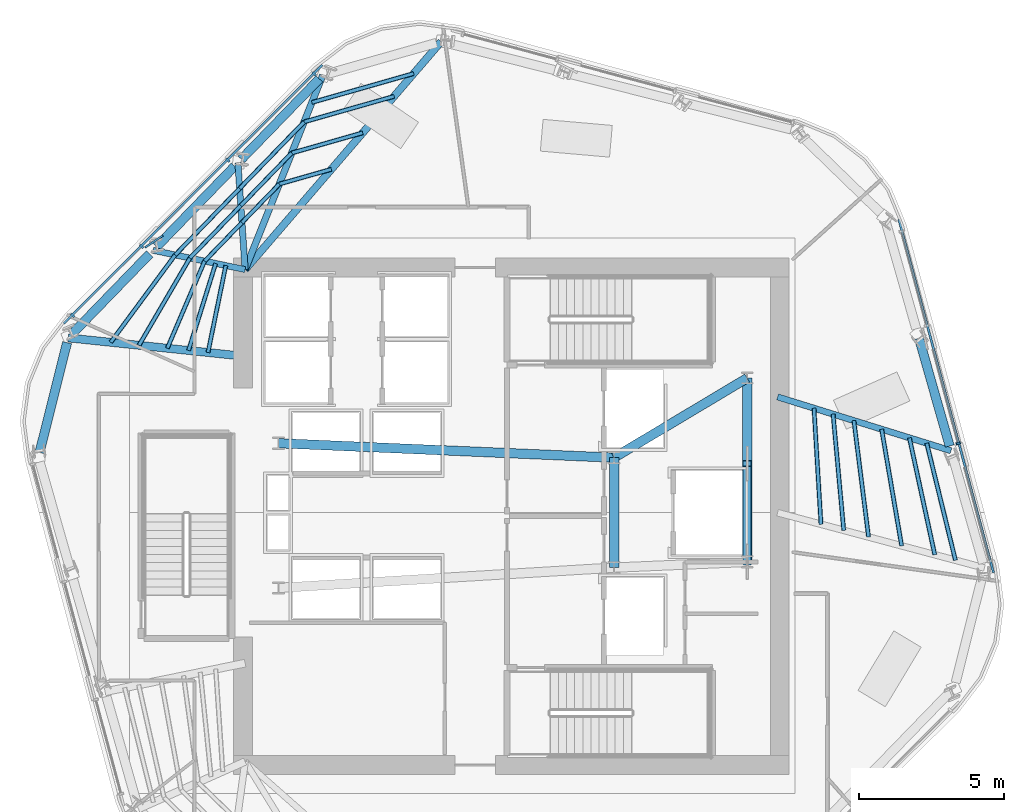
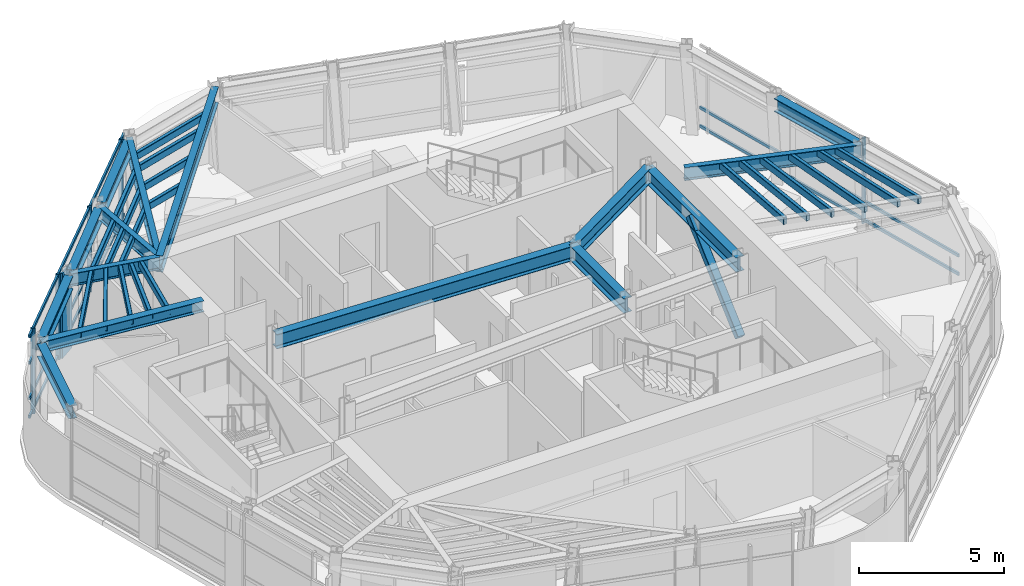
# One storey, part 4 of 13: 34 members, 15 beams, 2 elements without a shape of their own.
"""IFC4 building model written with IfcOpenShell, lengths in metres."""

from ifc_helpers import new_model, si_unit, direction, frame, origin, origin_2d, place, context, subcontext, project, spatial, rectangle, hollow_rectangle, i_section, extrude, material, layer, layer_set, material_profile, profile_set, type_object, element, aggregate, save


model = new_model("IFC4")

# Units and contexts
model_context = context("Model", 3, precision=1e-05, world=origin(), true_north=direction((0.0, 1.0)))
body_context = subcontext(model_context, "Body", "Model", "MODEL_VIEW")
ifc_project = project(units=[si_unit("LENGTHUNIT", "METRE"), si_unit("AREAUNIT", "SQUARE_METRE"), si_unit("VOLUMEUNIT", "CUBIC_METRE"), si_unit("PLANEANGLEUNIT", "RADIAN"), si_unit("MASSUNIT", "GRAM", prefix="KILO")], contexts=[model_context])

# Site, building, storey
site_placement = place(None, origin())
site = spatial("IfcSite", under=ifc_project, at=site_placement, CompositionType="ELEMENT")
building_placement = place(site_placement, origin())
building = spatial("IfcBuilding", under=site, at=building_placement, Name="Valkerne Bourse Tower", CompositionType="ELEMENT")
storey_placement = place(building_placement, frame((0.0, 0.0, 217.0)))
storey = spatial("IfcBuildingStorey", under=building, at=storey_placement, Name="L55", CompositionType="ELEMENT", Elevation=217.0)

# Beams
ifc_material_1 = material(Name="Steel ASTM A992", Category="steel")
ifc_material_profile_1 = material_profile(ifc_material_1, i_section(OverallWidth=0.279296875, OverallDepth=0.46240234375, WebThickness=0.0107421875, FlangeThickness=0.017333984375, FilletRadius=0.017822265625, at=origin_2d()), Name="W18X76")
ifc_profile_set_1 = profile_set([ifc_material_profile_1], Name="Steel ASTM A992")
beam_type_1 = type_object("IfcBeamType", Name="BM-W18X76", PredefinedType="BEAM", material=ifc_profile_set_1)
beam_1_placement = place(storey_placement, frame((31.488525390625, 33.039794921875, 3.368896484375), z_axis=(0.994563425291, -0.104132574509, 0.0), x_axis=(0.104132574509, 0.994563425291, 0.0)))
element("IfcBeam", 1, at=beam_1_placement, inside=storey, type_object=beam_type_1, Name="L55 Radial Composite Floor Beam 07", PredefinedType="BEAM", context=body_context, shape_type="SweptSolid", body=[
    extrude(i_section(OverallWidth=0.279296875, OverallDepth=0.46240234375, WebThickness=0.0107421875, FlangeThickness=0.017333984375, FilletRadius=0.017822265625, at=origin_2d()), origin(), (0.0, 0.0, 1.0), 6.14501953125),
])
ifc_material_profile_2 = material_profile(ifc_material_1, i_section(OverallWidth=0.31494140625, OverallDepth=0.5537109375, WebThickness=0.0166015625, FlangeThickness=0.026123046875, FilletRadius=0.020263671875, at=origin_2d()), Name="W21X132")
ifc_profile_set_2 = profile_set([ifc_material_profile_2], Name="Steel ASTM A992")
beam_type_2 = type_object("IfcBeamType", Name="BM-W21X132", PredefinedType="BEAM", material=ifc_profile_set_2)
for number, where, z_axis, x_axis, name in (
    (2, (40.163818359375, 41.991943359375, 3.322998046875), (-0.695922265033, -0.718117122085, 0.0), (0.718117122085, -0.695922265033, 0.0), "L55 Hexagonal Spandrel Ring Beam 04"),
    (3, (37.232666015625, 38.96728515625, 3.322998046875), (-0.695922265033, -0.718117122085, 0.0), (0.718117122085, -0.695922265033, 0.0), "L55 Hexagonal Spandrel Ring Beam 05"),
):
    element("IfcBeam", number, at=place(storey_placement, frame(where, z_axis=z_axis, x_axis=x_axis)), inside=storey, type_object=beam_type_2, Name=name, PredefinedType="BEAM", context=body_context, shape_type="SweptSolid", body=[
        extrude(i_section(OverallWidth=0.31494140625, OverallDepth=0.5537109375, WebThickness=0.0166015625, FlangeThickness=0.026123046875, FilletRadius=0.020263671875, at=origin_2d()), origin(), (0.0, 0.0, 1.0), 3.8720703125),
    ])
beam_2_placement = place(storey_placement, frame((34.301513671875, 35.9423828125, 3.322998046875), z_axis=(-0.695953777044, -0.718086582675, 0.0), x_axis=(0.718086582675, -0.695953777044, 0.0)))
element("IfcBeam", 4, at=beam_2_placement, inside=storey, type_object=beam_type_2, Name="L55 Hexagonal Spandrel Ring Beam 06", PredefinedType="BEAM", context=body_context, shape_type="SweptSolid", body=[
    extrude(i_section(OverallWidth=0.31494140625, OverallDepth=0.5537109375, WebThickness=0.0166015625, FlangeThickness=0.026123046875, FilletRadius=0.020263671875, at=origin_2d()), origin(), (0.0, 0.0, 1.0), 3.871826171875),
])
beam_3_placement = place(storey_placement, frame((31.447265625, 32.875, 3.322998046875), z_axis=(-0.243606452183, -0.969874165268, 0.0), x_axis=(0.969874165268, -0.243606452183, 0.0)))
element("IfcBeam", 5, at=beam_3_placement, inside=storey, type_object=beam_type_2, Name="L55 Hexagonal Spandrel Ring Beam 07", PredefinedType="BEAM", context=body_context, shape_type="SweptSolid", body=[
    extrude(i_section(OverallWidth=0.31494140625, OverallDepth=0.5537109375, WebThickness=0.0166015625, FlangeThickness=0.026123046875, FilletRadius=0.020263671875, at=origin_2d()), origin(), (0.0, 0.0, 1.0), 3.91552734375),
])
beam_4_placement = place(storey_placement, frame((61.947509765625, 29.302001953125, 3.322998046875), z_axis=(-0.273904901023, 0.961756780686, 0.0), x_axis=(-0.961756780686, -0.273904901023, 0.0)))
element("IfcBeam", 6, at=beam_4_placement, inside=storey, type_object=beam_type_2, Name="L55 Hexagonal Spandrel Ring Beam 21", PredefinedType="BEAM", context=body_context, shape_type="SweptSolid", body=[
    extrude(i_section(OverallWidth=0.31494140625, OverallDepth=0.5537109375, WebThickness=0.0166015625, FlangeThickness=0.026123046875, FilletRadius=0.020263671875, at=origin_2d()), origin(), (0.0, 0.0, 1.0), 3.8720703125),
])
ifc_material_profile_3 = material_profile(ifc_material_1, i_section(OverallWidth=0.209228515625, OverallDepth=0.533447265625, WebThickness=0.01025390625, FlangeThickness=0.015625, FilletRadius=0.017822265625, at=origin_2d()), Name="W21X62")
ifc_profile_set_3 = profile_set([ifc_material_profile_3], Name="Steel ASTM A992")
beam_type_3 = type_object("IfcBeamType", Name="BM-W21X62", PredefinedType="JOIST", material=ifc_profile_set_3)
beam_5_placement = place(storey_placement, frame((34.419921875, 36.064697265625, 3.333251953125), z_axis=(0.978841405764, -0.204620385989, 0.0), x_axis=(0.204620385989, 0.978841405764, 0.0)))
element("IfcBeam", 7, at=beam_5_placement, inside=storey, type_object=beam_type_3, Name="L55 Radial Composite Floor Beam 06", PredefinedType="JOIST", context=body_context, shape_type="SweptSolid", body=[
    extrude(i_section(OverallWidth=0.209228515625, OverallDepth=0.533447265625, WebThickness=0.01025390625, FlangeThickness=0.015625, FilletRadius=0.017822265625, at=origin_2d()), origin(), (0.0, 0.0, 1.0), 3.2490234375),
])
ifc_material_profile_4 = material_profile(ifc_material_1, i_section(OverallWidth=0.2138671875, OverallDepth=0.548583984375, WebThickness=0.0146484375, FlangeThickness=0.023681640625, FilletRadius=0.017822265625, at=origin_2d()), Name="W21X93")
ifc_profile_set_4 = profile_set([ifc_material_profile_4], Name="Steel ASTM A992")
beam_type_4 = type_object("IfcBeamType", Name="BM-W21X93", PredefinedType="BEAM", material=ifc_profile_set_4)
beam_6_placement = place(storey_placement, frame((37.35107421875, 39.08935546875, 3.32568359375), z_axis=(0.067342806673, -0.99772989651, 0.0), x_axis=(0.99772989651, 0.067342806673, 0.0)))
element("IfcBeam", 8, at=beam_6_placement, inside=storey, type_object=beam_type_4, Name="L55 Radial Composite Floor Beam 05", PredefinedType="BEAM", context=body_context, shape_type="SweptSolid", body=[
    extrude(i_section(OverallWidth=0.2138671875, OverallDepth=0.548583984375, WebThickness=0.0146484375, FlangeThickness=0.023681640625, FilletRadius=0.017822265625, at=origin_2d()), origin(), (0.0, 0.0, 1.0), 3.69775390625),
])
beam_7_placement = place(storey_placement, frame((61.994140625, 29.138427734375, 3.32568359375), z_axis=(-0.955004506032, 0.296591290261, 0.0), x_axis=(-0.296591290261, -0.955004506032, 0.0)))
element("IfcBeam", 9, at=beam_7_placement, inside=storey, type_object=beam_type_4, Name="L55 Radial Composite Floor Beam 21", PredefinedType="BEAM", context=body_context, shape_type="SweptSolid", body=[
    extrude(i_section(OverallWidth=0.2138671875, OverallDepth=0.548583984375, WebThickness=0.0146484375, FlangeThickness=0.023681640625, FilletRadius=0.017822265625, at=origin_2d()), origin(), (0.0, 0.0, 1.0), 6.276611328125),
])
ifc_material_profile_5 = material_profile(ifc_material_1, i_section(OverallWidth=0.3251953125, OverallDepth=0.612060546875, WebThickness=0.0126953125, FlangeThickness=0.01904296875, FilletRadius=0.020263671875, at=origin_2d()), Name="W24X104")
ifc_profile_set_5 = profile_set([ifc_material_profile_5], Name="Steel ASTM A992")
beam_type_5 = type_object("IfcBeamType", Name="BM-W24X104", PredefinedType="BEAM", material=ifc_profile_set_5)
beam_8_placement = place(storey_placement, frame((50.35009765625, 25.10009765625, 3.2939453125), z_axis=(0.0, 1.0, 0.0), x_axis=(-1.0, 0.0, 0.0)))
element("IfcBeam", 10, at=beam_8_placement, inside=storey, type_object=beam_type_5, Name="L55 Core Frame Girder CG-CE", PredefinedType="BEAM", context=body_context, shape_type="SweptSolid", body=[
    extrude(i_section(OverallWidth=0.3251953125, OverallDepth=0.612060546875, WebThickness=0.0126953125, FlangeThickness=0.01904296875, FilletRadius=0.020263671875, at=origin_2d()), origin(), (0.0, 0.0, 1.0), 3.7998046875),
])
beam_9_placement = place(storey_placement, frame((50.35009765625, 28.89990234375, 3.2939453125), z_axis=(0.858307823492, 0.513135148019, 0.0), x_axis=(-0.513135148019, 0.858307823492, 0.0)))
element("IfcBeam", 11, at=beam_9_placement, inside=storey, type_object=beam_type_5, Name="L55 Core Frame Girder CG-NE", PredefinedType="BEAM", context=body_context, shape_type="SweptSolid", body=[
    extrude(i_section(OverallWidth=0.3251953125, OverallDepth=0.612060546875, WebThickness=0.0126953125, FlangeThickness=0.01904296875, FilletRadius=0.020263671875, at=origin_2d()), origin(), (0.0, 0.0, 1.0), 5.359130859375),
])
beam_10_placement = place(storey_placement, frame((54.949951171875, 25.300048828125, 3.2939453125), z_axis=(0.0, 1.0, 0.0), x_axis=(-1.0, 0.0, 0.0)))
element("IfcBeam", 12, at=beam_10_placement, inside=storey, type_object=beam_type_5, Name="L55 Core Frame Girder CG-EE", PredefinedType="BEAM", context=body_context, shape_type="SweptSolid", body=[
    extrude(i_section(OverallWidth=0.3251953125, OverallDepth=0.612060546875, WebThickness=0.0126953125, FlangeThickness=0.01904296875, FilletRadius=0.020263671875, at=origin_2d()), origin(), (0.0, 0.0, 1.0), 6.349853515625),
])
beam_11_placement = place(storey_placement, frame((38.75, 29.39990234375, 3.2939453125), z_axis=(0.999072354402, -0.043063101019, 0.0), x_axis=(0.043063101019, 0.999072354402, 0.0)))
element("IfcBeam", 13, at=beam_11_placement, inside=storey, type_object=beam_type_5, Name="L55 Core Frame Girder CG-NW", PredefinedType="BEAM", context=body_context, shape_type="SweptSolid", body=[
    extrude(i_section(OverallWidth=0.3251953125, OverallDepth=0.612060546875, WebThickness=0.0126953125, FlangeThickness=0.01904296875, FilletRadius=0.020263671875, at=origin_2d()), origin(), (0.0, 0.0, 1.0), 11.61083984375),
])
ifc_material_profile_6 = material_profile(ifc_material_1, i_section(OverallWidth=0.228271484375, OverallDepth=0.607177734375, WebThickness=0.01123046875, FlangeThickness=0.017333984375, FilletRadius=0.017822265625, at=origin_2d()), Name="W24X76")
ifc_profile_set_6 = profile_set([ifc_material_profile_6], Name="Steel ASTM A992")
beam_type_6 = type_object("IfcBeamType", Name="BM-W24X76", PredefinedType="JOIST", material=ifc_profile_set_6)
beam_12_placement = place(storey_placement, frame((40.2822265625, 42.114013671875, 3.29638671875), z_axis=(-0.370971453826, -0.928644270131, 0.0), x_axis=(0.928644270131, -0.370971453826, 0.0)))
element("IfcBeam", 14, at=beam_12_placement, inside=storey, type_object=beam_type_6, Name="L55 Radial Composite Floor Beam 04", PredefinedType="JOIST", context=body_context, shape_type="SweptSolid", body=[
    extrude(i_section(OverallWidth=0.228271484375, OverallDepth=0.607177734375, WebThickness=0.01123046875, FlangeThickness=0.017333984375, FilletRadius=0.017822265625, at=origin_2d()), origin(), (0.0, 0.0, 1.0), 7.22998046875),
])
ifc_material_profile_7 = material_profile(ifc_material_1, i_section(OverallWidth=0.255859375, OverallDepth=0.693359375, WebThickness=0.014404296875, FlangeThickness=0.023681640625, FilletRadius=0.02294921875, at=origin_2d()), Name="W27X114")
ifc_profile_set_7 = profile_set([ifc_material_profile_7], Name="Steel ASTM A992")
beam_type_7 = type_object("IfcBeamType", Name="BM-W27X114", PredefinedType="BEAM", material=ifc_profile_set_7)
beam_13_placement = place(storey_placement, frame((44.375, 43.280029296875, 3.25341796875), z_axis=(-0.651928252572, -0.758280656154, 0.0), x_axis=(0.758280656154, -0.651928252572, 0.0)))
element("IfcBeam", 15, at=beam_13_placement, inside=storey, type_object=beam_type_7, Name="L55 Radial Composite Floor Beam 03", PredefinedType="BEAM", context=body_context, shape_type="SweptSolid", body=[
    extrude(i_section(OverallWidth=0.255859375, OverallDepth=0.693359375, WebThickness=0.014404296875, FlangeThickness=0.023681640625, FilletRadius=0.02294921875, at=origin_2d()), origin(), (0.0, 0.0, 1.0), 10.39208984375),
])

# Curtain wall, members
ifc_material_2 = material(Name="Aluminium AA 6063-T6", Category="aluminium")
ifc_layer = layer(ifc_material_2, 0.239990234375)
ifc_layer_set = layer_set([ifc_layer], Name="Aluminium AA 6063-T6")
curtain_wall_type = type_object("IfcCurtainWallType", Name="CW-04", PredefinedType="NOTDEFINED", material=ifc_layer_set)
curtain_wall_1_placement = place(storey_placement, origin())
curtain_wall_1 = element("IfcCurtainWall", 16, at=curtain_wall_1_placement, inside=storey, type_object=curtain_wall_type, Name="L55 Hexagonal Stick Curtain Wall Face 2", PredefinedType="NOTDEFINED")
ifc_material_profile_8 = material_profile(ifc_material_2, rectangle(XDim=0.074951171875, YDim=0.159912109375, at=origin_2d()), Name="CWM-75X160")
ifc_profile_set_8 = profile_set([ifc_material_profile_8], Name="Aluminium AA 6063-T6")
member_type_1 = type_object("IfcMemberType", Name="CW-MUL-160X75", PredefinedType="MULLION", material=ifc_profile_set_8)
member_1_placement = place(storey_placement, frame((39.98291015625, 42.157958984375, 0.0), z_axis=(0.0, 0.0, 1.0), x_axis=(-0.707118651865, -0.707094910308, 0.0)))
member_1 = element("IfcMember", 17, at=member_1_placement, type_object=member_type_1, Name="CW-L55-F2 Jamb Mullion 00A", PredefinedType="MULLION", context=body_context, shape_type="SweptSolid", body=[
    extrude(rectangle(XDim=0.074951171875, YDim=0.159912109375, at=origin_2d()), origin(), (0.0, 0.0, 1.0), 3.60009765625),
])
member_2_placement = place(storey_placement, frame((37.004638671875, 39.1796875, 0.0), z_axis=(0.0, 0.0, 1.0), x_axis=(-0.707106781187, -0.707106781187, 0.0)))
member_2 = element("IfcMember", 18, at=member_2_placement, type_object=member_type_1, Name="CW-L55-F2 Jamb Mullion 01A", PredefinedType="MULLION", context=body_context, shape_type="SweptSolid", body=[
    extrude(rectangle(XDim=0.074951171875, YDim=0.159912109375, at=origin_2d()), origin(), (0.0, 0.0, 1.0), 3.60009765625),
])
member_3_placement = place(storey_placement, frame((34.0263671875, 36.201416015625, 0.0), z_axis=(0.0, 0.0, 1.0), x_axis=(-0.707094910308, -0.707118651865, 0.0)))
member_3 = element("IfcMember", 19, at=member_3_placement, type_object=member_type_1, Name="CW-L55-F2 Jamb Mullion 02A", PredefinedType="MULLION", context=body_context, shape_type="SweptSolid", body=[
    extrude(rectangle(XDim=0.074951171875, YDim=0.159912109375, at=origin_2d()), origin(), (0.0, 0.0, 1.0), 3.60009765625),
])
member_4_placement = place(storey_placement, frame((31.64208984375, 33.81689453125, 0.0), z_axis=(0.0, 0.0, 1.0), x_axis=(-0.707094910308, -0.707118651865, 0.0)))
member_4 = element("IfcMember", 20, at=member_4_placement, type_object=member_type_1, Name="CW-L55-F2 Jamb Mullion 02B", PredefinedType="MULLION", context=body_context, shape_type="SweptSolid", body=[
    extrude(rectangle(XDim=0.074951171875, YDim=0.159912109375, at=origin_2d()), origin(), (0.0, 0.0, 1.0), 3.60009765625),
])

# Curtain wall, member
curtain_wall_2_placement = place(storey_placement, origin())
curtain_wall_2 = element("IfcCurtainWall", 21, at=curtain_wall_2_placement, inside=storey, type_object=curtain_wall_type, Name="L55 Hexagonal Stick Curtain Wall Face 6", PredefinedType="NOTDEFINED")
member_5_placement = place(storey_placement, frame((62.24560546875, 29.393310546875, 0.0), z_axis=(0.0, 0.0, 1.0), x_axis=(-0.258807683831, 0.965928870461, 0.0)))
member_5 = element("IfcMember", 22, at=member_5_placement, type_object=member_type_1, Name="CW-L55-F6 Jamb Mullion 01A", PredefinedType="MULLION", context=body_context, shape_type="SweptSolid", body=[
    extrude(rectangle(XDim=0.074951171875, YDim=0.159912109375, at=origin_2d()), origin(), (0.0, 0.0, 1.0), 3.60009765625),
])

# Member
ifc_material_profile_9 = material_profile(ifc_material_2, rectangle(XDim=0.074951171875, YDim=0.1201171875, at=origin_2d()), Name="CWT-75X120")
ifc_profile_set_9 = profile_set([ifc_material_profile_9], Name="Aluminium AA 6063-T6")
member_type_2 = type_object("IfcMemberType", Name="CW-TRN-120X75", PredefinedType="USERDEFINED", material=ifc_profile_set_9)
member_6_placement = place(storey_placement, frame((40.265869140625, 42.46923828125, 0.1201171875), z_axis=(-0.707106781187, -0.707106781187, 0.0), x_axis=(0.707106781187, -0.707106781187, 0.0)))
member_6 = element("IfcMember", 23, at=member_6_placement, type_object=member_type_2, Name="CW-L55-F2 Continuous Face Transom 1", ObjectType="TRANSOM", PredefinedType="USERDEFINED", context=body_context, shape_type="SweptSolid", body=[
    extrude(rectangle(XDim=0.074951171875, YDim=0.1201171875, at=origin_2d()), origin(), (0.0, 0.0, 1.0), 12.635986328125),
])

member_7_placement = place(storey_placement, frame((40.265869140625, 42.46923828125, 0.89990234375), z_axis=(-0.707106781187, -0.707106781187, 0.0), x_axis=(0.707106781187, -0.707106781187, 0.0)))
member_7 = element("IfcMember", 24, at=member_7_placement, type_object=member_type_2, Name="CW-L55-F2 Continuous Face Transom 2", ObjectType="TRANSOM", PredefinedType="USERDEFINED", context=body_context, shape_type="SweptSolid", body=[
    extrude(rectangle(XDim=0.074951171875, YDim=0.1201171875, at=origin_2d()), origin(), (0.0, 0.0, 1.0), 12.635986328125),
])

member_8_placement = place(storey_placement, frame((40.265869140625, 42.46923828125, 2.39990234375), z_axis=(-0.707106781187, -0.707106781187, 0.0), x_axis=(0.707106781187, -0.707106781187, 0.0)))
member_8 = element("IfcMember", 25, at=member_8_placement, type_object=member_type_2, Name="CW-L55-F2 Continuous Face Transom 3", ObjectType="TRANSOM", PredefinedType="USERDEFINED", context=body_context, shape_type="SweptSolid", body=[
    extrude(rectangle(XDim=0.074951171875, YDim=0.1201171875, at=origin_2d()), origin(), (0.0, 0.0, 1.0), 12.635986328125),
])

member_9_placement = place(storey_placement, frame((40.265869140625, 42.46923828125, 3.52001953125), z_axis=(-0.707106781187, -0.707106781187, 0.0), x_axis=(0.707106781187, -0.707106781187, 0.0)))
member_9 = element("IfcMember", 26, at=member_9_placement, type_object=member_type_2, Name="CW-L55-F2 Continuous Face Transom 4", ObjectType="TRANSOM", PredefinedType="USERDEFINED", context=body_context, shape_type="SweptSolid", body=[
    extrude(rectangle(XDim=0.074951171875, YDim=0.1201171875, at=origin_2d()), origin(), (0.0, 0.0, 1.0), 12.635986328125),
])

aggregate(curtain_wall_1, [member_6, member_7, member_8, member_9, member_1, member_2, member_3, member_4])

member_10_placement = place(storey_placement, frame((63.4638671875, 24.92431640625, 0.1201171875), z_axis=(-0.258826544699, 0.965923816747, 0.0), x_axis=(-0.965923816747, -0.258826544699, 0.0)))
member_10 = element("IfcMember", 27, at=member_10_placement, type_object=member_type_2, Name="CW-L55-F6 Continuous Face Transom 1", ObjectType="TRANSOM", PredefinedType="USERDEFINED", context=body_context, shape_type="SweptSolid", body=[
    extrude(rectangle(XDim=0.074951171875, YDim=0.1201171875, at=origin_2d()), origin(), (0.0, 0.0, 1.0), 12.635986328125),
])

member_11_placement = place(storey_placement, frame((63.4638671875, 24.92431640625, 0.89990234375), z_axis=(-0.258826544699, 0.965923816747, 0.0), x_axis=(-0.965923816747, -0.258826544699, 0.0)))
member_11 = element("IfcMember", 28, at=member_11_placement, type_object=member_type_2, Name="CW-L55-F6 Continuous Face Transom 2", ObjectType="TRANSOM", PredefinedType="USERDEFINED", context=body_context, shape_type="SweptSolid", body=[
    extrude(rectangle(XDim=0.074951171875, YDim=0.1201171875, at=origin_2d()), origin(), (0.0, 0.0, 1.0), 12.635986328125),
])

aggregate(curtain_wall_2, [member_10, member_11, member_5])

# Members
ifc_material_3 = material(Name="Bronze Anodised Aluminium AA 6063-T6", Category="aluminium")
ifc_material_profile_10 = material_profile(ifc_material_3, rectangle(XDim=0.06494140625, YDim=0.75, at=origin_2d()), Name="FIN-65X750")
ifc_profile_set_10 = profile_set([ifc_material_profile_10], Name="Bronze Anodised Aluminium AA 6063-T6")
member_type_3 = type_object("IfcMemberType", Name="FIN-SOLAR-650", PredefinedType="USERDEFINED", material=ifc_profile_set_10)
member_12_placement = place(storey_placement, frame((34.45068359375, 36.37109375, 0.00390625), z_axis=(0.0, 0.0, 1.0), x_axis=(-0.557660478951, 0.830069147852, 0.0)))
element("IfcMember", 29, at=member_12_placement, inside=storey, type_object=member_type_3, Name="L55 Bronze Anodised Solar Fin F2-02", ObjectType="SOLAR_FIN", PredefinedType="USERDEFINED", context=body_context, shape_type="SweptSolid", body=[
    extrude(rectangle(XDim=0.06494140625, YDim=0.75, at=origin_2d()), origin(), (0.0, 0.0, 1.0), 3.592041015625),
])
ifc_material_4 = material(Name="Steel ASTM A500 Grade C", Category="steel")
ifc_material_profile_11 = material_profile(ifc_material_4, hollow_rectangle(XDim=0.14990234375, YDim=0.300048828125, WallThickness=0.012451171875, OuterFilletRadius=0.02490234375, at=origin_2d()), Name="HSS300X150X12.5")
ifc_profile_set_11 = profile_set([ifc_material_profile_11], Name="Steel ASTM A500 Grade C")
member_type_4 = type_object("IfcMemberType", Name="MBR-HSS300X150X12.5", PredefinedType="PURLIN", material=ifc_profile_set_11)
member_13_placement = place(storey_placement, frame((36.582275390625, 35.61279296875, 3.43994140625), z_axis=(-0.297688164598, -0.954663163979, 0.0), x_axis=(0.954663163979, -0.297688164598, 0.0)))
element("IfcMember", 30, at=member_13_placement, inside=storey, type_object=member_type_4, Name="L55 Secondary Composite Floor Purlin I-06", PredefinedType="PURLIN", context=body_context, shape_type="SweptSolid", body=[
    extrude(hollow_rectangle(XDim=0.14990234375, YDim=0.300048828125, WallThickness=0.012451171875, OuterFilletRadius=0.02490234375, at=origin_2d()), origin(), (0.0, 0.0, 1.0), 3.15087890625),
])
member_14_placement = place(storey_placement, frame((58.287353515625, 26.387939453125, 3.43994140625), z_axis=(-0.091523554948, 0.99580291167, 0.0), x_axis=(-0.99580291167, -0.091523554948, 0.0)))
element("IfcMember", 31, at=member_14_placement, inside=storey, type_object=member_type_4, Name="L55 Secondary Composite Floor Purlin I-20", PredefinedType="PURLIN", context=body_context, shape_type="SweptSolid", body=[
    extrude(hollow_rectangle(XDim=0.14990234375, YDim=0.300048828125, WallThickness=0.012451171875, OuterFilletRadius=0.02490234375, at=origin_2d()), origin(), (0.0, 0.0, 1.0), 4.033203125),
])
member_15_placement = place(storey_placement, frame((40.5810546875, 38.8671875, 3.43994140625), z_axis=(-0.961745049664, -0.273946088577, 0.0), x_axis=(0.273946088577, -0.961745049664, 0.0)))
element("IfcMember", 32, at=member_15_placement, inside=storey, type_object=member_type_4, Name="L55 Secondary Composite Floor Purlin K-03", PredefinedType="PURLIN", context=body_context, shape_type="SweptSolid", body=[
    extrude(hollow_rectangle(XDim=0.14990234375, YDim=0.300048828125, WallThickness=0.012451171875, OuterFilletRadius=0.02490234375, at=origin_2d()), origin(), (0.0, 0.0, 1.0), 1.872314453125),
])
member_16_placement = place(storey_placement, frame((38.7802734375, 38.354248046875, 3.43994140625), z_axis=(-0.695888643152, -0.718149703287, 0.0), x_axis=(0.718149703287, -0.695888643152, 0.0)))
element("IfcMember", 33, at=member_16_placement, inside=storey, type_object=member_type_4, Name="L55 Secondary Composite Floor Purlin K-04", PredefinedType="PURLIN", context=body_context, shape_type="SweptSolid", body=[
    extrude(hollow_rectangle(XDim=0.14990234375, YDim=0.300048828125, WallThickness=0.012451171875, OuterFilletRadius=0.02490234375, at=origin_2d()), origin(), (0.0, 0.0, 1.0), 1.853515625),
])
member_17_placement = place(storey_placement, frame((37.490478515625, 37.023193359375, 3.43994140625), z_axis=(-0.695954474943, -0.718085906287, 0.0), x_axis=(0.718085906287, -0.695954474943, 0.0)))
element("IfcMember", 34, at=member_17_placement, inside=storey, type_object=member_type_4, Name="L55 Secondary Composite Floor Purlin K-05", PredefinedType="PURLIN", context=body_context, shape_type="SweptSolid", body=[
    extrude(hollow_rectangle(XDim=0.14990234375, YDim=0.300048828125, WallThickness=0.012451171875, OuterFilletRadius=0.02490234375, at=origin_2d()), origin(), (0.0, 0.0, 1.0), 1.853271484375),
])
member_18_placement = place(storey_placement, frame((36.20068359375, 35.6923828125, 3.43994140625), z_axis=(-0.393784354817, -0.919202851335, 0.0), x_axis=(0.919202851335, -0.393784354817, 0.0)))
element("IfcMember", 35, at=member_18_placement, inside=storey, type_object=member_type_4, Name="L55 Secondary Composite Floor Purlin K-06", PredefinedType="PURLIN", context=body_context, shape_type="SweptSolid", body=[
    extrude(hollow_rectangle(XDim=0.14990234375, YDim=0.300048828125, WallThickness=0.012451171875, OuterFilletRadius=0.02490234375, at=origin_2d()), origin(), (0.0, 0.0, 1.0), 3.275390625),
])
member_19_placement = place(storey_placement, frame((59.145263671875, 26.158447265625, 3.43994140625), z_axis=(-0.125250086162, 0.992125201734, 0.0), x_axis=(-0.992125201734, -0.125250086162, 0.0)))
element("IfcMember", 36, at=member_19_placement, inside=storey, type_object=member_type_4, Name="L55 Secondary Composite Floor Purlin K-20", PredefinedType="PURLIN", context=body_context, shape_type="SweptSolid", body=[
    extrude(hollow_rectangle(XDim=0.14990234375, YDim=0.300048828125, WallThickness=0.012451171875, OuterFilletRadius=0.02490234375, at=origin_2d()), origin(), (0.0, 0.0, 1.0), 4.054443359375),
])
member_20_placement = place(storey_placement, frame((42.7490234375, 41.388916015625, 3.43994140625), z_axis=(-0.961728765571, -0.274003250845, 0.0), x_axis=(0.274003250845, -0.961728765571, 0.0)))
element("IfcMember", 37, at=member_20_placement, inside=storey, type_object=member_type_4, Name="L55 Secondary Composite Floor Purlin O-03", PredefinedType="PURLIN", context=body_context, shape_type="SweptSolid", body=[
    extrude(hollow_rectangle(XDim=0.14990234375, YDim=0.300048828125, WallThickness=0.012451171875, OuterFilletRadius=0.02490234375, at=origin_2d()), origin(), (0.0, 0.0, 1.0), 3.234375),
])
member_21_placement = place(storey_placement, frame((39.638427734375, 40.502685546875, 3.43994140625), z_axis=(-0.695883737058, -0.718154457271, 0.0), x_axis=(0.718154457271, -0.695883737058, 0.0)))
element("IfcMember", 38, at=member_21_placement, inside=storey, type_object=member_type_4, Name="L55 Secondary Composite Floor Purlin O-04", PredefinedType="PURLIN", context=body_context, shape_type="SweptSolid", body=[
    extrude(hollow_rectangle(XDim=0.14990234375, YDim=0.300048828125, WallThickness=0.012451171875, OuterFilletRadius=0.02490234375, at=origin_2d()), origin(), (0.0, 0.0, 1.0), 3.200927734375),
])
member_22_placement = place(storey_placement, frame((37.410888671875, 38.203857421875, 3.43994140625), z_axis=(-0.695923069649, -0.718116342336, 0.0), x_axis=(0.718116342336, -0.695923069649, 0.0)))
element("IfcMember", 39, at=member_22_placement, inside=storey, type_object=member_type_4, Name="L55 Secondary Composite Floor Purlin O-05", PredefinedType="PURLIN", context=body_context, shape_type="SweptSolid", body=[
    extrude(hollow_rectangle(XDim=0.14990234375, YDim=0.300048828125, WallThickness=0.012451171875, OuterFilletRadius=0.02490234375, at=origin_2d()), origin(), (0.0, 0.0, 1.0), 3.201171875),
])
member_23_placement = place(storey_placement, frame((35.18310546875, 35.905029296875, 3.43994140625), z_axis=(-0.593787102929, -0.804622194819, 0.0), x_axis=(0.804622194819, -0.593787102929, 0.0)))
element("IfcMember", 40, at=member_23_placement, inside=storey, type_object=member_type_4, Name="L55 Secondary Composite Floor Purlin O-06", PredefinedType="PURLIN", context=body_context, shape_type="SweptSolid", body=[
    extrude(hollow_rectangle(XDim=0.14990234375, YDim=0.300048828125, WallThickness=0.012451171875, OuterFilletRadius=0.02490234375, at=origin_2d()), origin(), (0.0, 0.0, 1.0), 3.751708984375),
])
member_24_placement = place(storey_placement, frame((61.4326171875, 25.546630859375, 3.43994140625), z_axis=(-0.212199094791, 0.977226454907, 0.0), x_axis=(-0.977226454907, -0.212199094791, 0.0)))
element("IfcMember", 41, at=member_24_placement, inside=storey, type_object=member_type_4, Name="L55 Secondary Composite Floor Purlin O-20", PredefinedType="PURLIN", context=body_context, shape_type="SweptSolid", body=[
    extrude(hollow_rectangle(XDim=0.14990234375, YDim=0.300048828125, WallThickness=0.012451171875, OuterFilletRadius=0.02490234375, at=origin_2d()), origin(), (0.0, 0.0, 1.0), 4.132568359375),
])
member_25_placement = place(storey_placement, frame((41.6650390625, 40.1279296875, 3.43994140625), z_axis=(-0.961750920115, -0.273925478291, 0.0), x_axis=(0.273925478291, -0.961750920115, 0.0)))
element("IfcMember", 42, at=member_25_placement, inside=storey, type_object=member_type_4, Name="L55 Secondary Composite Floor Purlin Z-03", PredefinedType="PURLIN", context=body_context, shape_type="SweptSolid", body=[
    extrude(hollow_rectangle(XDim=0.14990234375, YDim=0.300048828125, WallThickness=0.012451171875, OuterFilletRadius=0.02490234375, at=origin_2d()), origin(), (0.0, 0.0, 1.0), 2.553466796875),
])
for number, where, z_axis, x_axis, name in (
    (43, (39.209228515625, 39.428466796875, 3.43994140625), (-0.695860623462, -0.718176853369, 0.0), (0.718176853369, -0.695860623462, 0.0), "L55 Secondary Composite Floor Purlin Z-04"),
    (44, (37.45068359375, 37.613525390625, 3.43994140625), (-0.695958724445, -0.718081787729, 0.0), (0.718081787729, -0.695958724445, 0.0), "L55 Secondary Composite Floor Purlin Z-05"),
):
    element("IfcMember", number, at=place(storey_placement, frame(where, z_axis=z_axis, x_axis=x_axis)), inside=storey, type_object=member_type_4, Name=name, PredefinedType="PURLIN", context=body_context, shape_type="SweptSolid", body=[
        extrude(hollow_rectangle(XDim=0.14990234375, YDim=0.300048828125, WallThickness=0.012451171875, OuterFilletRadius=0.02490234375, at=origin_2d()), origin(), (0.0, 0.0, 1.0), 2.527099609375),
    ])
member_26_placement = place(storey_placement, frame((35.69189453125, 35.798828125, 3.43994140625), z_axis=(-0.503892770312, -0.863766216072, 0.0), x_axis=(0.863766216072, -0.503892770312, 0.0)))
element("IfcMember", 45, at=member_26_placement, inside=storey, type_object=member_type_4, Name="L55 Secondary Composite Floor Purlin Z-06", PredefinedType="PURLIN", context=body_context, shape_type="SweptSolid", body=[
    extrude(hollow_rectangle(XDim=0.14990234375, YDim=0.300048828125, WallThickness=0.012451171875, OuterFilletRadius=0.02490234375, at=origin_2d()), origin(), (0.0, 0.0, 1.0), 3.490478515625),
])
member_27_placement = place(storey_placement, frame((60.288818359375, 25.8525390625, 3.43994140625), z_axis=(-0.169305142556, 0.985563680695, 0.0), x_axis=(-0.985563680695, -0.169305142556, 0.0)))
element("IfcMember", 46, at=member_27_placement, inside=storey, type_object=member_type_4, Name="L55 Secondary Composite Floor Purlin Z-20", PredefinedType="PURLIN", context=body_context, shape_type="SweptSolid", body=[
    extrude(hollow_rectangle(XDim=0.14990234375, YDim=0.300048828125, WallThickness=0.012451171875, OuterFilletRadius=0.02490234375, at=origin_2d()), origin(), (0.0, 0.0, 1.0), 4.089599609375),
])
member_28_placement = place(storey_placement, frame((36.93212890625, 35.53955078125, 3.43994140625), z_axis=(-0.200644507146, -0.979664116803, 0.0), x_axis=(0.979664116803, -0.200644507146, 0.0)))
element("IfcMember", 47, at=member_28_placement, inside=storey, type_object=member_type_4, Name="L55 Secondary Composite Floor Purlin S-06", PredefinedType="PURLIN", context=body_context, shape_type="SweptSolid", body=[
    extrude(hollow_rectangle(XDim=0.14990234375, YDim=0.300048828125, WallThickness=0.012451171875, OuterFilletRadius=0.02490234375, at=origin_2d()), origin(), (0.0, 0.0, 1.0), 3.067626953125),
])
member_29_placement = place(storey_placement, frame((57.501220703125, 26.598388671875, 3.43994140625), z_axis=(-0.060335458338, 0.998178156677, 0.0), x_axis=(-0.998178156677, -0.060335458338, 0.0)))
element("IfcMember", 48, at=member_29_placement, inside=storey, type_object=member_type_4, Name="L55 Secondary Composite Floor Purlin S-20", PredefinedType="PURLIN", context=body_context, shape_type="SweptSolid", body=[
    extrude(hollow_rectangle(XDim=0.14990234375, YDim=0.300048828125, WallThickness=0.012451171875, OuterFilletRadius=0.02490234375, at=origin_2d()), origin(), (0.0, 0.0, 1.0), 4.01806640625),
])
member_30_placement = place(storey_placement, frame((43.426513671875, 42.1767578125, 3.43994140625), z_axis=(-0.961737626919, -0.273972146338, 0.0), x_axis=(0.273972146338, -0.961737626919, 0.0)))
element("IfcMember", 49, at=member_30_placement, inside=storey, type_object=member_type_4, Name="L55 Secondary Composite Floor Purlin T-03", PredefinedType="PURLIN", context=body_context, shape_type="SweptSolid", body=[
    extrude(hollow_rectangle(XDim=0.14990234375, YDim=0.300048828125, WallThickness=0.012451171875, OuterFilletRadius=0.02490234375, at=origin_2d()), origin(), (0.0, 0.0, 1.0), 3.659912109375),
])
member_31_placement = place(storey_placement, frame((62.1474609375, 25.355224609375, 3.43994140625), z_axis=(-0.238353012312, 0.971178583743, 0.0), x_axis=(-0.971178583743, -0.238353012312, 0.0)))
element("IfcMember", 50, at=member_31_placement, inside=storey, type_object=member_type_4, Name="L55 Secondary Composite Floor Purlin T-20", PredefinedType="PURLIN", context=body_context, shape_type="SweptSolid", body=[
    extrude(hollow_rectangle(XDim=0.14990234375, YDim=0.300048828125, WallThickness=0.012451171875, OuterFilletRadius=0.02490234375, at=origin_2d()), origin(), (0.0, 0.0, 1.0), 4.163818359375),
])
ifc_material_profile_12 = material_profile(ifc_material_4, hollow_rectangle(XDim=0.300048828125, YDim=0.300048828125, WallThickness=0.012451171875, OuterFilletRadius=0.02490234375, at=origin_2d()), Name="HSS300X300X12.5")
ifc_profile_set_12 = profile_set([ifc_material_profile_12], Name="Steel ASTM A500 Grade C")
member_type_5 = type_object("IfcMemberType", Name="MBR-HSS300X300X12.5", PredefinedType="STRUT", material=ifc_profile_set_12)
member_32_placement = place(storey_placement, frame((54.949951171875, 25.300048828125, 0.219970703125), z_axis=(0.0, 0.741766660352, 0.670658051163), x_axis=(-1.0, 0.0, 0.0)))
element("IfcMember", 51, at=member_32_placement, inside=storey, type_object=member_type_5, Name="L55 Core Service Pier Lateral Brace", PredefinedType="STRUT", context=body_context, shape_type="SweptSolid", body=[
    extrude(hollow_rectangle(XDim=0.300048828125, YDim=0.300048828125, WallThickness=0.012451171875, OuterFilletRadius=0.02490234375, at=origin_2d()), origin(), (0.0, 0.0, 1.0), 4.58349609375),
])

save(model, "model.ifc")
